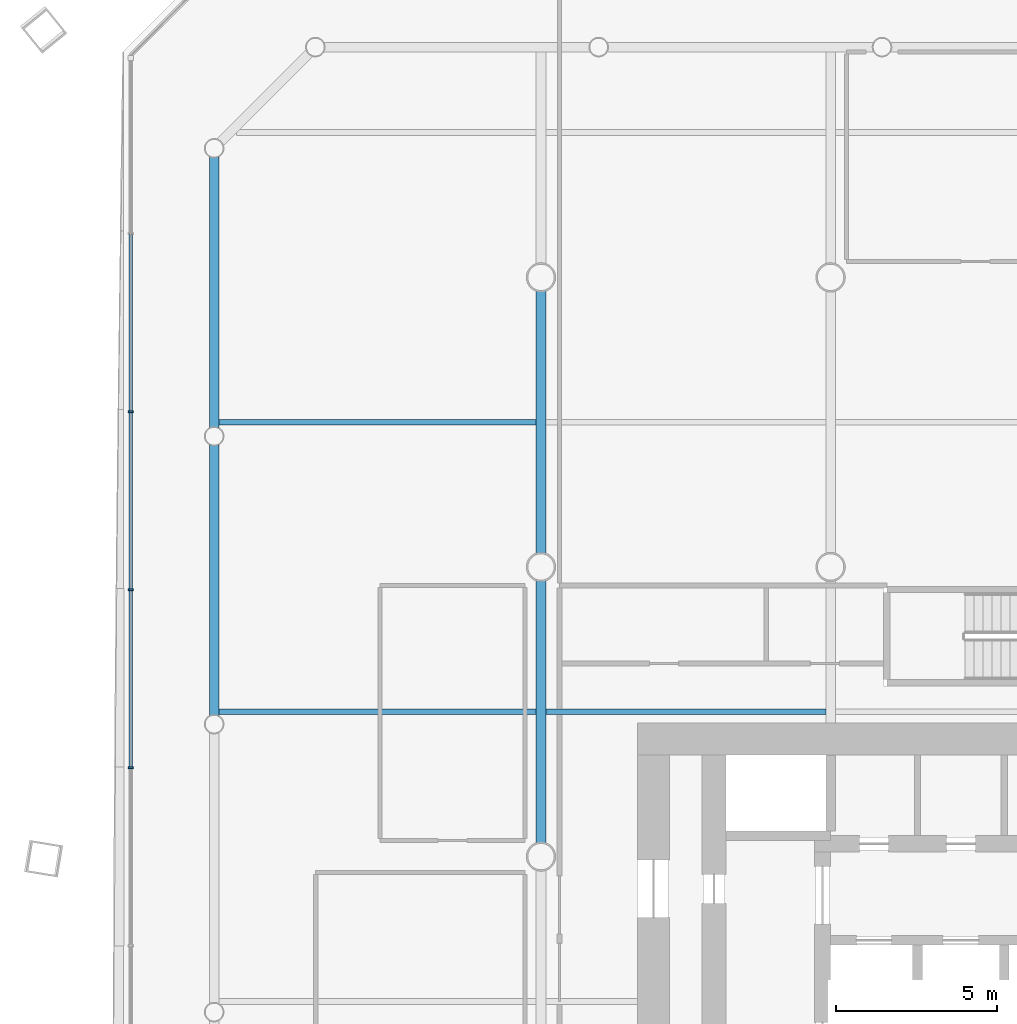
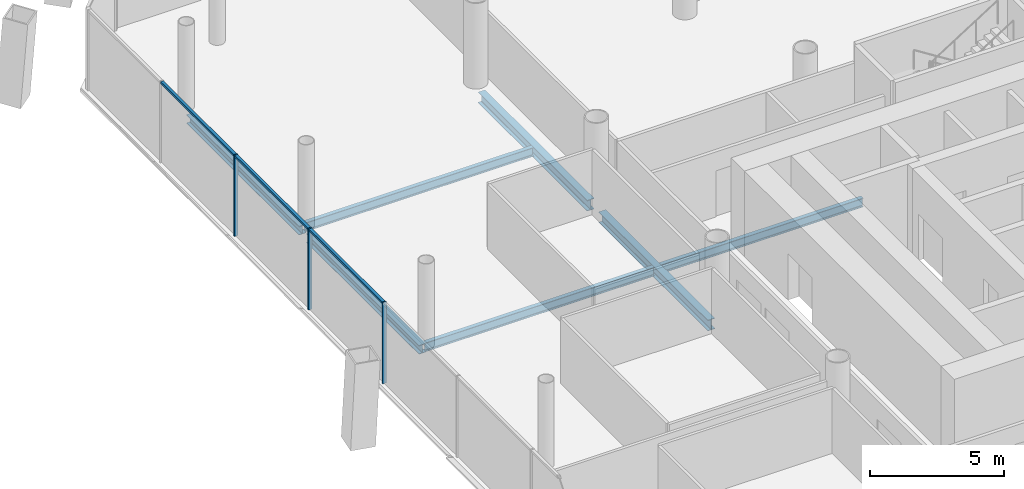
# One storey, part 8 of 22: 7 beams, 6 members, 1 element without a shape of its own.
"""IFC4 building model written with IfcOpenShell, lengths in metres."""

from ifc_helpers import new_model, si_unit, direction, frame, origin, origin_2d, place, context, subcontext, project, spatial, rectangle, i_section, extrude, material, material_profile, profile_set, type_object, element, aggregate, save


model = new_model("IFC4")

# Units and contexts
model_context = context("Model", 3, precision=1e-05, world=origin(), true_north=direction((0.0, 1.0)))
body_context = subcontext(model_context, "Body", "Model", "MODEL_VIEW")
ifc_project = project(units=[si_unit("LENGTHUNIT", "METRE"), si_unit("AREAUNIT", "SQUARE_METRE"), si_unit("VOLUMEUNIT", "CUBIC_METRE"), si_unit("PLANEANGLEUNIT", "RADIAN"), si_unit("MASSUNIT", "GRAM", prefix="KILO")], contexts=[model_context])

# Site, building, storey
site_placement = place(None, origin())
site = spatial("IfcSite", under=ifc_project, at=site_placement, CompositionType="ELEMENT")
building_placement = place(site_placement, origin())
building = spatial("IfcBuilding", under=site, at=building_placement, Name="Tskaro Facet Tower", CompositionType="ELEMENT")
storey_placement = place(building_placement, frame((0.0, 0.0, 18.60009765625)))
storey = spatial("IfcBuildingStorey", under=building, at=storey_placement, Name="L03", CompositionType="ELEMENT", Elevation=18.60009765625)

# Curtain wall, members
ifc_material_1 = material(Name="Bronze anodised aluminium 6063-T6", Category="aluminium")
curtain_wall_type = type_object("IfcCurtainWallType", Name="Bronze office curtain wall (FW1)", PredefinedType="NOTDEFINED", material=ifc_material_1)
curtain_wall_placement = place(storey_placement, origin())
curtain_wall = element("IfcCurtainWall", 1, at=curtain_wall_placement, inside=storey, type_object=curtain_wall_type, Name="FW1 west facet L03", PredefinedType="NOTDEFINED")
ifc_material_profile_1 = material_profile(ifc_material_1, rectangle(XDim=0.06005859375, YDim=0.159912109375, at=origin_2d()), Name="Mullion 60x160")
ifc_profile_set_1 = profile_set([ifc_material_profile_1], Name="Bronze anodised aluminium 6063-T6")
member_type_1 = type_object("IfcMemberType", Name="FW1 bronze mullion 60x160", PredefinedType="MULLION", material=ifc_profile_set_1)
member_1_placement = place(storey_placement, frame((-30.75, 13.8310546875, 0.0), z_axis=(0.0, 0.0, 1.0), x_axis=(0.0, -1.0, 0.0)))
member_1 = element("IfcMember", 2, at=member_1_placement, type_object=member_type_1, Name="FW1 west mullion 2", PredefinedType="MULLION", context=body_context, shape_type="SweptSolid", body=[
    extrude(rectangle(XDim=0.06005859375, YDim=0.159912109375, at=origin_2d()), origin(), (0.0, 0.0, 1.0), 3.699951171875),
])
member_2_placement = place(storey_placement, frame((-30.75, 8.298583984375, 0.0), z_axis=(0.0, 0.0, 1.0), x_axis=(0.0, -1.0, 0.0)))
member_2 = element("IfcMember", 3, at=member_2_placement, type_object=member_type_1, Name="FW1 west mullion 3", PredefinedType="MULLION", context=body_context, shape_type="SweptSolid", body=[
    extrude(rectangle(XDim=0.06005859375, YDim=0.159912109375, at=origin_2d()), origin(), (0.0, 0.0, 1.0), 3.699951171875),
])
member_3_placement = place(storey_placement, frame((-30.75, 2.76611328125, 0.0), z_axis=(0.0, 0.0, 1.0), x_axis=(0.0, -1.0, 0.0)))
member_3 = element("IfcMember", 4, at=member_3_placement, type_object=member_type_1, Name="FW1 west mullion 4", PredefinedType="MULLION", context=body_context, shape_type="SweptSolid", body=[
    extrude(rectangle(XDim=0.06005859375, YDim=0.159912109375, at=origin_2d()), origin(), (0.0, 0.0, 1.0), 3.699951171875),
])
ifc_material_profile_2 = material_profile(ifc_material_1, rectangle(XDim=0.1201171875, YDim=0.10009765625, at=origin_2d()), Name="Transom 120x100")
ifc_profile_set_2 = profile_set([ifc_material_profile_2], Name="Bronze anodised aluminium 6063-T6")
member_type_2 = type_object("IfcMemberType", Name="FW1 bronze transom 120x100", PredefinedType="USERDEFINED", material=ifc_profile_set_2)
member_4_placement = place(storey_placement, frame((-30.75, 19.33349609375, 3.64990234375), z_axis=(0.0, -1.0, 0.0), x_axis=(1.0, 0.0, 0.0)))
member_4 = element("IfcMember", 5, at=member_4_placement, type_object=member_type_2, Name="FW1 west transom 2.1", ObjectType="TRANSOM", PredefinedType="USERDEFINED", context=body_context, shape_type="SweptSolid", body=[
    extrude(rectangle(XDim=0.1201171875, YDim=0.10009765625, at=origin_2d()), origin(), (0.0, 0.0, 1.0), 5.472412109375),
])
member_5_placement = place(storey_placement, frame((-30.75, 13.801025390625, 3.64990234375), z_axis=(0.0, -1.0, 0.0), x_axis=(1.0, 0.0, 0.0)))
member_5 = element("IfcMember", 6, at=member_5_placement, type_object=member_type_2, Name="FW1 west transom 3.1", ObjectType="TRANSOM", PredefinedType="USERDEFINED", context=body_context, shape_type="SweptSolid", body=[
    extrude(rectangle(XDim=0.1201171875, YDim=0.10009765625, at=origin_2d()), origin(), (0.0, 0.0, 1.0), 5.472412109375),
])
member_6_placement = place(storey_placement, frame((-30.75, 8.2685546875, 3.64990234375), z_axis=(0.0, -1.0, 0.0), x_axis=(1.0, 0.0, 0.0)))
member_6 = element("IfcMember", 7, at=member_6_placement, type_object=member_type_2, Name="FW1 west transom 4.1", ObjectType="TRANSOM", PredefinedType="USERDEFINED", context=body_context, shape_type="SweptSolid", body=[
    extrude(rectangle(XDim=0.1201171875, YDim=0.10009765625, at=origin_2d()), origin(), (0.0, 0.0, 1.0), 5.472412109375),
])
aggregate(curtain_wall, [member_1, member_2, member_3, member_4, member_5, member_6])

# Beams
ifc_material_2 = material(Name="Steel S355J2", Category="steel")
ifc_material_profile_3 = material_profile(ifc_material_2, i_section(OverallWidth=0.300048828125, OverallDepth=0.39990234375, WebThickness=0.013427734375, FlangeThickness=0.02392578125, FilletRadius=0.027099609375, at=origin_2d()), Name="HE 400 B")
ifc_profile_set_3 = profile_set([ifc_material_profile_3], Name="Steel S355J2")
beam_type_1 = type_object("IfcBeamType", Name="HE 400 B ring beam", PredefinedType="BEAM", material=ifc_profile_set_3)
for number, where, z_axis, x_axis, name in (
    (8, (-28.156982421875, 21.737060546875, -0.340087890625), (0.0, -1.0, 0.0), (1.0, 0.0, 0.0), "HE 400 B EB20-1"),
    (9, (-28.156982421875, 12.7890625, -0.340087890625), (0.0, -1.0, 0.0), (1.0, 0.0, 0.0), "HE 400 B EB21-1"),
):
    element("IfcBeam", number, at=place(storey_placement, frame(where, z_axis=z_axis, x_axis=x_axis)), inside=storey, type_object=beam_type_1, Name=name, PredefinedType="BEAM", context=body_context, shape_type="SweptSolid", body=[
        extrude(i_section(OverallWidth=0.300048828125, OverallDepth=0.39990234375, WebThickness=0.013427734375, FlangeThickness=0.02392578125, FilletRadius=0.027099609375, at=origin_2d()), origin(), (0.0, 0.0, 1.0), 8.39794921875),
    ])
ifc_material_profile_4 = material_profile(ifc_material_2, i_section(OverallWidth=0.300048828125, OverallDepth=0.489990234375, WebThickness=0.011962890625, FlangeThickness=0.02294921875, FilletRadius=0.027099609375, at=origin_2d()), Name="HE 500 A")
ifc_profile_set_4 = profile_set([ifc_material_profile_4], Name="Steel S355J2")
beam_type_2 = type_object("IfcBeamType", Name="HE 500 A girder", PredefinedType="BEAM", material=ifc_profile_set_4)
for number, where, z_axis, x_axis, name in (
    (10, (-18.0, 0.42724609375, -0.385009765625), (0.0, 1.0, 0.0), (-1.0, 0.0, 0.0), "HE 500 A GB2-4-1"),
    (11, (-18.0, 9.42724609375, -0.385009765625), (0.0, 1.0, 0.0), (-1.0, 0.0, 0.0), "HE 500 A GB2-5-1"),
):
    element("IfcBeam", number, at=place(storey_placement, frame(where, z_axis=z_axis, x_axis=x_axis)), inside=storey, type_object=beam_type_2, Name=name, PredefinedType="BEAM", context=body_context, shape_type="SweptSolid", body=[
        extrude(i_section(OverallWidth=0.300048828125, OverallDepth=0.489990234375, WebThickness=0.011962890625, FlangeThickness=0.02294921875, FilletRadius=0.027099609375, at=origin_2d()), origin(), (0.0, 0.0, 1.0), 8.1455078125),
    ])
ifc_material_profile_5 = material_profile(ifc_material_2, i_section(OverallWidth=0.179931640625, OverallDepth=0.39990234375, WebThickness=0.008544921875, FlangeThickness=0.013427734375, FilletRadius=0.02099609375, at=origin_2d()), Name="IPE 400")
ifc_profile_set_5 = profile_set([ifc_material_profile_5], Name="Steel S355J2")
beam_type_3 = type_object("IfcBeamType", Name="IPE 400 secondary beam", PredefinedType="BEAM", material=ifc_profile_set_5)
beam_1_placement = place(storey_placement, frame((-28.007080078125, 4.5, -0.340087890625), z_axis=(1.0, 0.0, 0.0), x_axis=(0.0, 1.0, 0.0)))
element("IfcBeam", 12, at=beam_1_placement, inside=storey, type_object=beam_type_3, Name="IPE 400 SB4a-1-1", PredefinedType="BEAM", context=body_context, shape_type="SweptSolid", body=[
    extrude(i_section(OverallWidth=0.179931640625, OverallDepth=0.39990234375, WebThickness=0.008544921875, FlangeThickness=0.013427734375, FilletRadius=0.02099609375, at=origin_2d()), origin(), (0.0, 0.0, 1.0), 9.857177734375),
])
beam_2_placement = place(storey_placement, frame((-17.85009765625, 4.5, -0.340087890625), z_axis=(1.0, 0.0, 0.0), x_axis=(0.0, 1.0, 0.0)))
element("IfcBeam", 13, at=beam_2_placement, inside=storey, type_object=beam_type_3, Name="IPE 400 SB4a-2-1", PredefinedType="BEAM", context=body_context, shape_type="SweptSolid", body=[
    extrude(i_section(OverallWidth=0.179931640625, OverallDepth=0.39990234375, WebThickness=0.008544921875, FlangeThickness=0.013427734375, FilletRadius=0.02099609375, at=origin_2d()), origin(), (0.0, 0.0, 1.0), 8.7001953125),
])
beam_3_placement = place(storey_placement, frame((-28.007080078125, 13.5, -0.340087890625), z_axis=(1.0, 0.0, 0.0), x_axis=(0.0, 1.0, 0.0)))
element("IfcBeam", 14, at=beam_3_placement, inside=storey, type_object=beam_type_3, Name="IPE 400 SB5a-1-1", PredefinedType="BEAM", context=body_context, shape_type="SweptSolid", body=[
    extrude(i_section(OverallWidth=0.179931640625, OverallDepth=0.39990234375, WebThickness=0.008544921875, FlangeThickness=0.013427734375, FilletRadius=0.02099609375, at=origin_2d()), origin(), (0.0, 0.0, 1.0), 9.857177734375),
])

save(model, "model.ifc")
